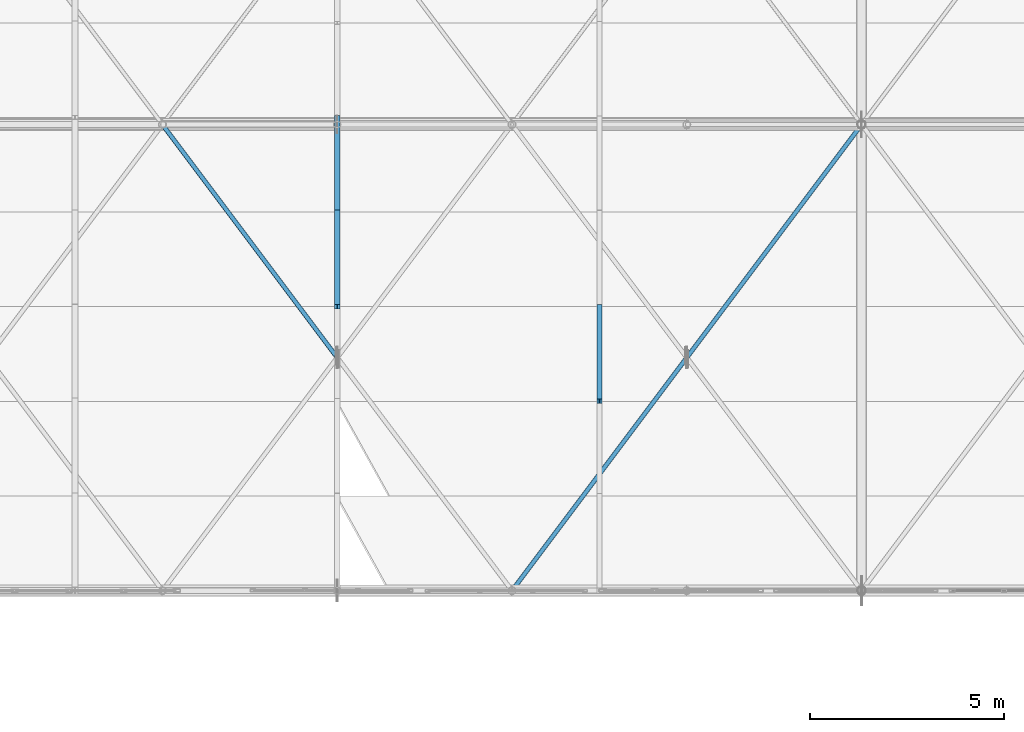
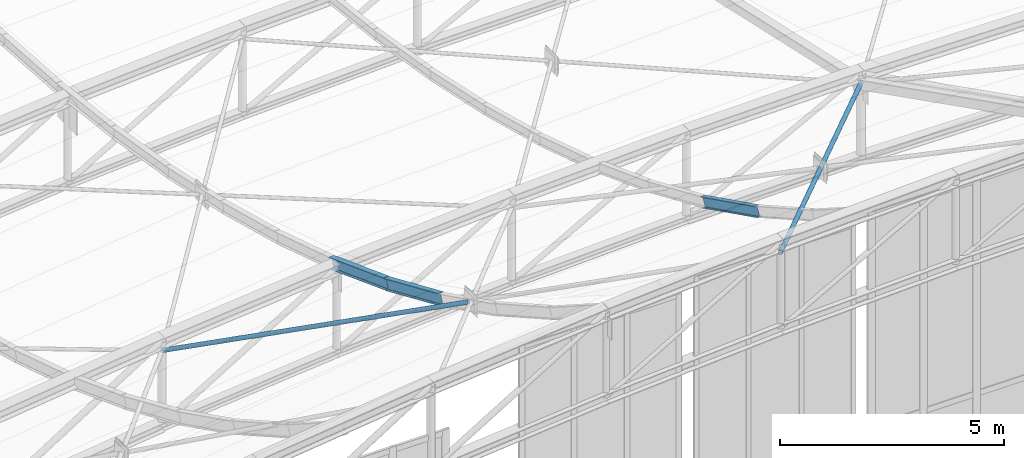
# One storey, part 52 of 262: 5 members.
"""IFC4 building model written with IfcOpenShell, lengths in metres."""

from ifc_helpers import new_model, si_unit, derived_unit, direction, frame, origin, origin_2d, place, context, subcontext, project, spatial, hollow_circle, i_section, extrude, material, material_profile, profile_set, type_object, element, save


model = new_model("IFC4")

# Units and contexts
model_context = context("Model", 3, precision=1e-05, world=origin(), true_north=direction((0.0, 1.0)))
body_context = subcontext(model_context, "Body", "Model", "MODEL_VIEW")
ifc_project = project(units=[si_unit("LENGTHUNIT", "METRE"), si_unit("AREAUNIT", "SQUARE_METRE"), si_unit("VOLUMEUNIT", "CUBIC_METRE"), si_unit("PLANEANGLEUNIT", "RADIAN"), si_unit("MASSUNIT", "GRAM", prefix="KILO"), derived_unit("THERMALTRANSMITTANCEUNIT", [(si_unit("POWERUNIT", "WATT"), 1), (si_unit("LENGTHUNIT", "METRE"), -2), (si_unit("THERMODYNAMICTEMPERATUREUNIT", "KELVIN"), -1)])], contexts=[model_context])

# Site, building, storey
site_placement = place(None, origin())
site = spatial("IfcSite", under=ifc_project, at=site_placement, CompositionType="ELEMENT")
building_placement = place(site_placement, origin())
building = spatial("IfcBuilding", under=site, at=building_placement, Name="Almenara Railside Exhibition Hall", CompositionType="ELEMENT")
storey_placement = place(building_placement, frame((0.0, 0.0, 21.699951171875)))
storey = spatial("IfcBuildingStorey", under=building, at=storey_placement, Name="RF", CompositionType="ELEMENT", Elevation=21.699951171875)

# Members
ifc_material = material(Name="Structural steel S355JR", Category="steel")
ifc_material_profile_1 = material_profile(ifc_material, i_section(OverallWidth=0.14990234375, OverallDepth=0.300048828125, WebThickness=0.007080078125, FlangeThickness=0.0107421875, FilletRadius=0.014892578125, at=origin_2d()), Name="IPE 300")
ifc_profile_set_1 = profile_set([ifc_material_profile_1], Name="Structural steel S355JR")
member_type_1 = type_object("IfcMemberType", Name="East Hall Ridge Purlin IPE 300 S355JR", PredefinedType="PURLIN", material=ifc_profile_set_1)
member_1_placement = place(storey_placement, frame((25.5, 55.31005859375, 6.45654296875), z_axis=(0.0, 0.917189812532, -0.398450558775), x_axis=(-1.0, 0.0, 0.0)))
element("IfcMember", 1, at=member_1_placement, inside=storey, type_object=member_type_1, Name="MEM-PR-V1-PR-IPE300-02-03", PredefinedType="PURLIN", context=body_context, shape_type="SweptSolid", body=[
    extrude(i_section(OverallWidth=0.14990234375, OverallDepth=0.300048828125, WebThickness=0.007080078125, FlangeThickness=0.0107421875, FilletRadius=0.014892578125, at=origin_2d()), origin(), (0.0, 0.0, 1.0), 2.65673828125),
])
member_2_placement = place(storey_placement, frame((25.5, 57.746826171875, 5.40576171875), z_axis=(0.0, 0.936171044044, -0.351544842508), x_axis=(-1.0, 0.0, 0.0)))
element("IfcMember", 2, at=member_2_placement, inside=storey, type_object=member_type_1, Name="MEM-PR-V1-PR-IPE300-02-04", PredefinedType="PURLIN", context=body_context, shape_type="SweptSolid", body=[
    extrude(i_section(OverallWidth=0.14990234375, OverallDepth=0.300048828125, WebThickness=0.007080078125, FlangeThickness=0.0107421875, FilletRadius=0.014892578125, at=origin_2d()), origin(), (0.0, 0.0, 1.0), 2.60302734375),
])
ifc_material_profile_2 = material_profile(ifc_material, i_section(OverallWidth=0.135009765625, OverallDepth=0.27001953125, WebThickness=0.006591796875, FlangeThickness=0.01025390625, FilletRadius=0.014892578125, at=origin_2d()), Name="IPE 270")
ifc_profile_set_2 = profile_set([ifc_material_profile_2], Name="Structural steel S355JR")
member_type_2 = type_object("IfcMemberType", Name="East Hall Standard Purlin IPE 270 S355JR", PredefinedType="PURLIN", material=ifc_profile_set_2)
member_3_placement = place(storey_placement, frame((32.25, 52.873291015625, 7.953857421875), z_axis=(0.0, 0.895376074457, -0.445310773831), x_axis=(-1.0, 0.0, 0.0)))
element("IfcMember", 3, at=member_3_placement, inside=storey, type_object=member_type_2, Name="MEM-PR-V1-PR-IPE270-03-02", PredefinedType="PURLIN", context=body_context, shape_type="SweptSolid", body=[
    extrude(i_section(OverallWidth=0.135009765625, OverallDepth=0.27001953125, WebThickness=0.006591796875, FlangeThickness=0.01025390625, FilletRadius=0.014892578125, at=origin_2d()), origin(), (0.0, 0.0, 1.0), 2.721435546875),
])
ifc_material_profile_3 = material_profile(ifc_material, hollow_circle(Radius=0.05712890625, WallThickness=0.00439453125, at=origin_2d()), Name="CHS 114.3x4.5")
ifc_profile_set_3 = profile_set([ifc_material_profile_3], Name="Structural steel S355JR")
member_type_3 = type_object("IfcMemberType", Name="Roof Wind Plan X-Brace CHS 114.3x4.5 S355JR", PredefinedType="BRACE", material=ifc_profile_set_3)
member_4_placement = place(storey_placement, frame((25.466552734375, 54.044677734375, 7.154296875), z_axis=(-0.546580160561, 0.728763588772, -0.412496981518), x_axis=(-0.799996064447, -0.600005247368, 0.0)))
element("IfcMember", 4, at=member_4_placement, inside=storey, type_object=member_type_3, Name="MEM-WB-V1-WB-CHS114-00-02-S2", PredefinedType="BRACE", context=body_context, shape_type="SweptSolid", body=[
    extrude(hollow_circle(Radius=0.05712890625, WallThickness=0.00439453125, at=origin_2d()), origin(), (0.0, 0.0, 1.0), 8.171875),
])
member_5_placement = place(storey_placement, frame((30.0, 48.0, 10.57568359375), z_axis=(0.559440333669, 0.745920444891, -0.361426621817), x_axis=(-0.8, 0.6, 0.0)))
element("IfcMember", 5, at=member_5_placement, inside=storey, type_object=member_type_3, Name="MEM-WB-V1-WB-CHS114-00-04-C", PredefinedType="BRACE", context=body_context, shape_type="SweptSolid", body=[
    extrude(hollow_circle(Radius=0.05712890625, WallThickness=0.00439453125, at=origin_2d()), origin(), (0.0, 0.0, 1.0), 16.08740234375),
])

save(model, "model.ifc")
